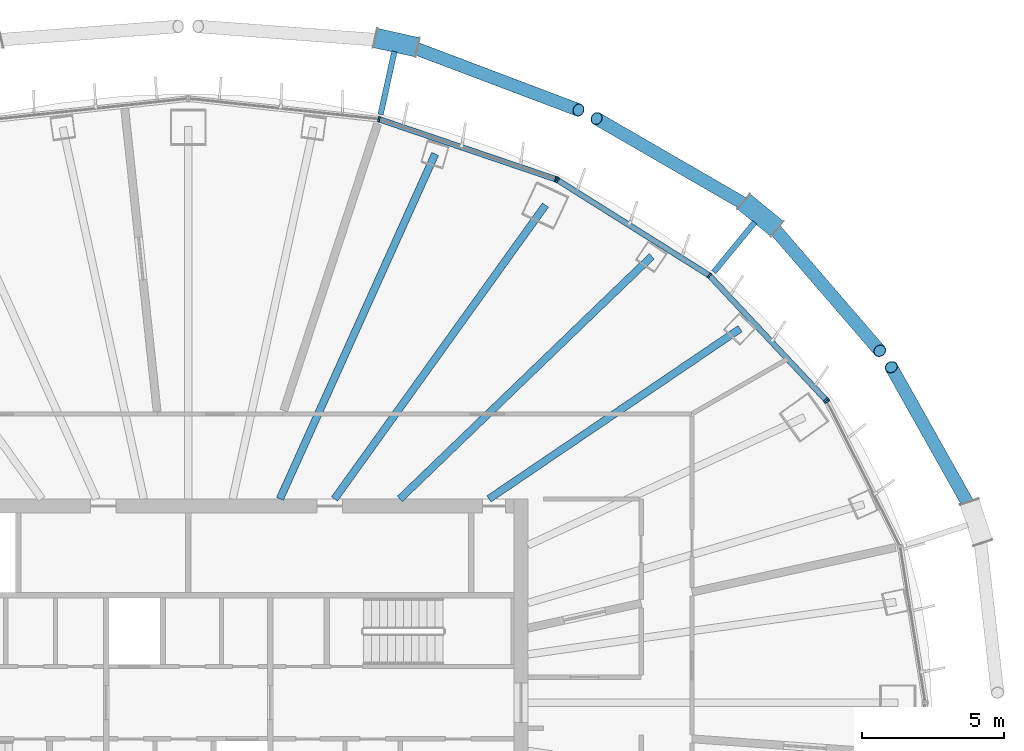
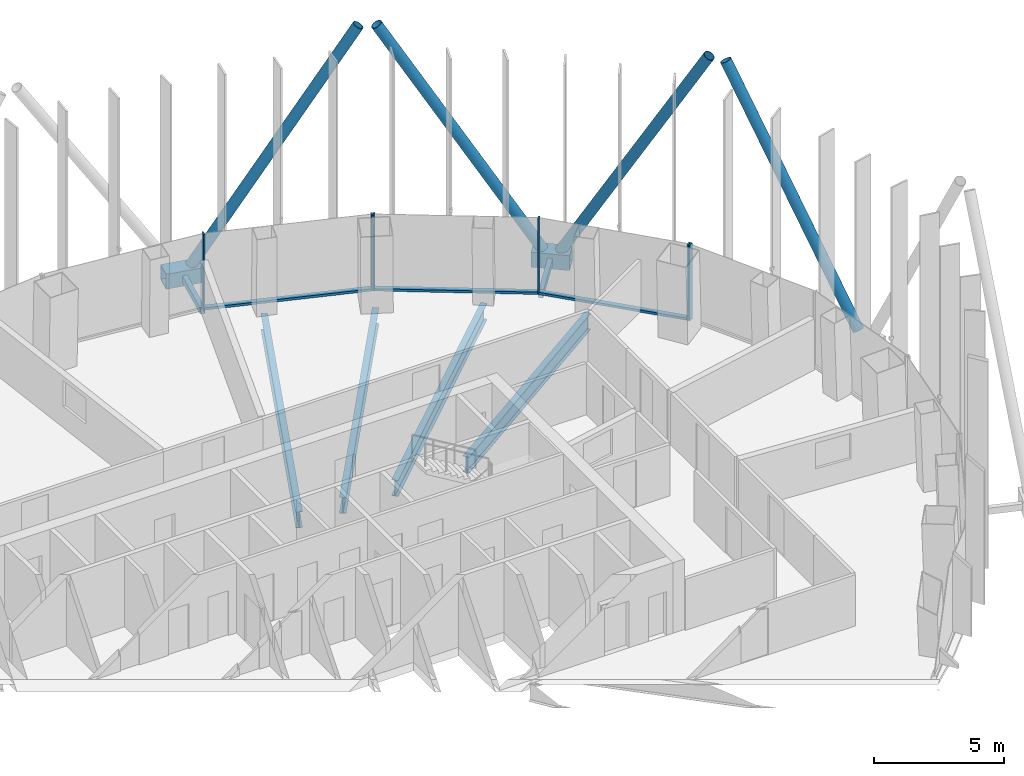
# One storey, part 6 of 19: 17 members, 4 beams, 3 elements without a shape of their own.
"""IFC4 building model written with IfcOpenShell, lengths in metres."""

from ifc_helpers import new_model, si_unit, direction, frame, origin, origin_2d, place, context, subcontext, project, spatial, rectangle, hollow_rectangle, hollow_circle, i_section, extrude, material, layer, layer_set, material_profile, profile_set, type_object, element, aggregate, save


model = new_model("IFC4")

# Units and contexts
model_context = context("Model", 3, precision=1e-05, world=origin(), true_north=direction((0.0, 1.0)))
body_context = subcontext(model_context, "Body", "Model", "MODEL_VIEW")
ifc_project = project(units=[si_unit("LENGTHUNIT", "METRE"), si_unit("AREAUNIT", "SQUARE_METRE"), si_unit("VOLUMEUNIT", "CUBIC_METRE"), si_unit("PLANEANGLEUNIT", "RADIAN"), si_unit("MASSUNIT", "GRAM", prefix="KILO")], contexts=[model_context])

# Site, building, storey
site_placement = place(None, origin())
site = spatial("IfcSite", under=ifc_project, at=site_placement, CompositionType="ELEMENT")
building_placement = place(site_placement, origin())
building = spatial("IfcBuilding", under=site, at=building_placement, Name="Siaravel Broadcast Tower", CompositionType="ELEMENT")
storey_placement = place(building_placement, frame((0.0, 0.0, 97.10009765625)))
storey = spatial("IfcBuildingStorey", under=building, at=storey_placement, Name="L22", CompositionType="ELEMENT", Elevation=97.10009765625)

# Beams
ifc_material_1 = material(Name="Steel S355", Category="steel")
ifc_material_profile_1 = material_profile(ifc_material_1, i_section(OverallWidth=0.26513671875, OverallDepth=0.75390625, WebThickness=0.0126953125, FlangeThickness=0.017578125, FilletRadius=0.0166015625, at=origin_2d()))
ifc_profile_set_1 = profile_set([ifc_material_profile_1], Name="Steel S355")
beam_type = type_object("IfcBeamType", Name="BM-UB 762x267x147", PredefinedType="BEAM", material=ifc_profile_set_1)
beam_1_placement = place(storey_placement, frame((19.497314453125, 13.21240234375, -0.527099609375), z_axis=(-0.827824507, -0.560987153, 0.0), x_axis=(0.560987153, -0.827824507, 0.0)))
element("IfcBeam", 1, at=beam_1_placement, inside=storey, type_object=beam_type, Name="Radial beam RB05", PredefinedType="BEAM", context=body_context, shape_type="SweptSolid", body=[
    extrude(i_section(OverallWidth=0.26513671875, OverallDepth=0.75390625, WebThickness=0.0126953125, FlangeThickness=0.017578125, FilletRadius=0.0166015625, at=origin_2d()), origin(), (0.0, 0.0, 1.0), 10.717529296875),
])
beam_2_placement = place(storey_placement, frame((16.3759765625, 15.76904296875, -0.527099609375), z_axis=(-0.720320579, -0.693641307, 0.0), x_axis=(0.693641307, -0.720320579, 0.0)))
element("IfcBeam", 2, at=beam_2_placement, inside=storey, type_object=beam_type, Name="Radial beam RB06", PredefinedType="BEAM", context=body_context, shape_type="SweptSolid", body=[
    extrude(i_section(OverallWidth=0.26513671875, OverallDepth=0.75390625, WebThickness=0.0126953125, FlangeThickness=0.017578125, FilletRadius=0.0166015625, at=origin_2d()), origin(), (0.0, 0.0, 1.0), 12.353759765625),
])
beam_3_placement = place(storey_placement, frame((12.62060546875, 17.578125, -0.527099609375), z_axis=(-0.583215836, -0.812317234, 0.0), x_axis=(0.812317234, -0.583215836, 0.0)))
element("IfcBeam", 3, at=beam_3_placement, inside=storey, type_object=beam_type, Name="Radial beam RB07", PredefinedType="BEAM", context=body_context, shape_type="SweptSolid", body=[
    extrude(i_section(OverallWidth=0.26513671875, OverallDepth=0.75390625, WebThickness=0.0126953125, FlangeThickness=0.017578125, FilletRadius=0.0166015625, at=origin_2d()), origin(), (0.0, 0.0, 1.0), 12.776123046875),
])
beam_4_placement = place(storey_placement, frame((8.72607421875, 19.3857421875, -0.527099609375), z_axis=(-0.410458111, -0.911879454, 0.0), x_axis=(0.911879454, -0.410458111, 0.0)))
element("IfcBeam", 4, at=beam_4_placement, inside=storey, type_object=beam_type, Name="Radial beam RB08", PredefinedType="BEAM", context=body_context, shape_type="SweptSolid", body=[
    extrude(i_section(OverallWidth=0.26513671875, OverallDepth=0.75390625, WebThickness=0.0126953125, FlangeThickness=0.017578125, FilletRadius=0.0166015625, at=origin_2d()), origin(), (0.0, 0.0, 1.0), 13.36328125),
])

# Curtain wall, member
ifc_material_2 = material(Name="Aluminium 6063-T6", Category="aluminium")
ifc_layer = layer(ifc_material_2, 0.199951171875)
ifc_layer_set = layer_set([ifc_layer], Name="Aluminium 6063-T6")
curtain_wall_type = type_object("IfcCurtainWallType", Name="Unitised curtain wall, zone 2", PredefinedType="NOTDEFINED", material=ifc_layer_set)
curtain_wall_1_placement = place(storey_placement, origin())
curtain_wall_1 = element("IfcCurtainWall", 5, at=curtain_wall_1_placement, inside=storey, type_object=curtain_wall_type, Name="L22 Unitised curtain wall, zone 2 01", PredefinedType="NOTDEFINED")
ifc_material_profile_2 = material_profile(ifc_material_2, rectangle(XDim=0.199951171875, YDim=0.06494140625, at=origin_2d()))
ifc_profile_set_2 = profile_set([ifc_material_profile_2], Name="Aluminium 6063-T6")
member_type_1 = type_object("IfcMemberType", Name="CW-Z2 mullion", PredefinedType="MULLION", material=ifc_profile_set_2)
member_1_placement = place(storey_placement, frame((22.56298828125, 10.64404296875, 0.0), z_axis=(0.0, 0.0, 1.0), x_axis=(-0.892391822, -0.451261384, 0.0)))
member_1 = element("IfcMember", 6, at=member_1_placement, type_object=member_type_1, Name="CW-Z2 mullion 3", PredefinedType="MULLION", context=body_context, shape_type="SweptSolid", body=[
    extrude(rectangle(XDim=0.199951171875, YDim=0.06494140625, at=origin_2d()), origin(), (0.0, 0.0, 1.0), 3.5498046875),
])
aggregate(curtain_wall_1, [member_1])

# Curtain wall, members
curtain_wall_2_placement = place(storey_placement, origin())
curtain_wall_2 = element("IfcCurtainWall", 7, at=curtain_wall_2_placement, inside=storey, type_object=curtain_wall_type, Name="L22 Unitised curtain wall, zone 2 02", PredefinedType="NOTDEFINED")
member_2_placement = place(storey_placement, frame((22.526123046875, 10.69677734375, 0.0), z_axis=(0.0, 0.0, 1.0), x_axis=(-0.729804854, -0.683655524, 0.0)))
member_2 = element("IfcMember", 8, at=member_2_placement, type_object=member_type_1, Name="CW-Z2 mullion 1", PredefinedType="MULLION", context=body_context, shape_type="SweptSolid", body=[
    extrude(rectangle(XDim=0.199951171875, YDim=0.06494140625, at=origin_2d()), origin(), (0.0, 0.0, 1.0), 3.5498046875),
])
member_3_placement = place(storey_placement, frame((18.408935546875, 15.091796875, 0.0), z_axis=(0.0, 0.0, 1.0), x_axis=(-0.636218267, -0.771509117, 0.0)))
member_3 = element("IfcMember", 9, at=member_3_placement, type_object=member_type_1, Name="CW-Z2 mullion 2", PredefinedType="MULLION", context=body_context, shape_type="SweptSolid", body=[
    extrude(rectangle(XDim=0.199951171875, YDim=0.06494140625, at=origin_2d()), origin(), (0.0, 0.0, 1.0), 3.5498046875),
])
member_4_placement = place(storey_placement, frame((13.043701171875, 18.464111328125, 0.0), z_axis=(0.0, 0.0, 1.0), x_axis=(-0.5321489, -0.846650783, 0.0)))
member_4 = element("IfcMember", 10, at=member_4_placement, type_object=member_type_1, Name="CW-Z2 mullion 3", PredefinedType="MULLION", context=body_context, shape_type="SweptSolid", body=[
    extrude(rectangle(XDim=0.199951171875, YDim=0.06494140625, at=origin_2d()), origin(), (0.0, 0.0, 1.0), 3.5498046875),
])

curtain_wall_3_placement = place(storey_placement, origin())
curtain_wall_3 = element("IfcCurtainWall", 11, at=curtain_wall_3_placement, inside=storey, type_object=curtain_wall_type, Name="L22 Unitised curtain wall, zone 2 03", PredefinedType="NOTDEFINED")
member_5_placement = place(storey_placement, frame((12.9853515625, 18.491943359375, 0.0), z_axis=(0.0, 0.0, 1.0), x_axis=(-0.321300433, -0.946977313, 0.0)))
member_5 = element("IfcMember", 12, at=member_5_placement, type_object=member_type_1, Name="CW-Z2 mullion 1", PredefinedType="MULLION", context=body_context, shape_type="SweptSolid", body=[
    extrude(rectangle(XDim=0.199951171875, YDim=0.06494140625, at=origin_2d()), origin(), (0.0, 0.0, 1.0), 3.5498046875),
])
member_6_placement = place(storey_placement, frame((6.7373046875, 20.61181640625, 0.0), z_axis=(0.0, 0.0, 1.0), x_axis=(-0.215557941, -0.976491052, 0.0)))
member_6 = element("IfcMember", 13, at=member_6_placement, type_object=member_type_1, Name="CW-Z2 mullion 2", PredefinedType="MULLION", context=body_context, shape_type="SweptSolid", body=[
    extrude(rectangle(XDim=0.199951171875, YDim=0.06494140625, at=origin_2d()), origin(), (0.0, 0.0, 1.0), 3.5498046875),
])

# Member
ifc_material_profile_3 = material_profile(ifc_material_2, rectangle(XDim=0.199951171875, YDim=0.110107421875, at=origin_2d()))
ifc_profile_set_3 = profile_set([ifc_material_profile_3], Name="Aluminium 6063-T6")
member_type_2 = type_object("IfcMemberType", Name="CW-Z2 transom", PredefinedType="USERDEFINED", material=ifc_profile_set_3)
member_7_placement = place(storey_placement, frame((22.50390625, 10.720458984375, 0.054931640625), z_axis=(-0.6836357, 0.729823424, 0.0), x_axis=(-0.729823424, -0.6836357, 0.0)))
member_7 = element("IfcMember", 14, at=member_7_placement, type_object=member_type_2, Name="CW-Z2 transom 1", ObjectType="TRANSOM", PredefinedType="USERDEFINED", context=body_context, shape_type="SweptSolid", body=[
    extrude(rectangle(XDim=0.199951171875, YDim=0.110107421875, at=origin_2d()), origin(), (0.0, 0.0, 1.0), 5.95703125),
])

member_8_placement = place(storey_placement, frame((18.381591796875, 15.109130859375, 0.054931640625), z_axis=(-0.846655089, 0.532142049, 0.0), x_axis=(-0.532142049, -0.846655089, 0.0)))
member_8 = element("IfcMember", 15, at=member_8_placement, type_object=member_type_2, Name="CW-Z2 transom 2", ObjectType="TRANSOM", PredefinedType="USERDEFINED", context=body_context, shape_type="SweptSolid", body=[
    extrude(rectangle(XDim=0.199951171875, YDim=0.110107421875, at=origin_2d()), origin(), (0.0, 0.0, 1.0), 6.272216796875),
])

aggregate(curtain_wall_2, [member_2, member_3, member_4, member_7, member_8])

member_9_placement = place(storey_placement, frame((12.95458984375, 18.502197265625, 0.054931640625), z_axis=(-0.946973015, 0.321313101, 0.0), x_axis=(-0.321313101, -0.946973015, 0.0)))
member_9 = element("IfcMember", 16, at=member_9_placement, type_object=member_type_2, Name="CW-Z2 transom 1", ObjectType="TRANSOM", PredefinedType="USERDEFINED", context=body_context, shape_type="SweptSolid", body=[
    extrude(rectangle(XDim=0.199951171875, YDim=0.110107421875, at=origin_2d()), origin(), (0.0, 0.0, 1.0), 6.532958984375),
])

aggregate(curtain_wall_3, [member_5, member_6, member_9])

# Members
ifc_material_3 = material(Name="Steel S460", Category="steel")
ifc_material_profile_4 = material_profile(ifc_material_3, hollow_circle(Radius=0.228515625, WallThickness=0.02001953125, at=origin_2d()))
ifc_profile_set_4 = profile_set([ifc_material_profile_4], Name="Steel S460")
member_type_3 = type_object("IfcMemberType", Name="Diagrid diagonal CHS 457x20", PredefinedType="BRACE", material=ifc_profile_set_4)
member_10_placement = place(storey_placement, frame((27.7265625, 6.709228515625, 0.119873046875), z_axis=(-0.239866967, 0.426891503, 0.871910249), x_axis=(-0.871801896, -0.489858607, 0.0)))
element("IfcMember", 17, at=member_10_placement, inside=storey, type_object=member_type_3, Name="Diagrid diagonal R10 station 03A", PredefinedType="BRACE", context=body_context, shape_type="SweptSolid", body=[
    extrude(hollow_circle(Radius=0.228515625, WallThickness=0.02001953125, at=origin_2d()), origin(), (0.0, 0.0, 1.0), 12.053955078125),
])
member_11_placement = place(storey_placement, frame((20.487548828125, 16.998291015625, 0.119873046875), z_axis=(0.325331869, -0.377002225, 0.867195767), x_axis=(0.757082184, 0.653319651, 0.0)))
element("IfcMember", 18, at=member_11_placement, inside=storey, type_object=member_type_3, Name="Diagrid diagonal R10 station 09C", PredefinedType="BRACE", context=body_context, shape_type="SweptSolid", body=[
    extrude(hollow_circle(Radius=0.228515625, WallThickness=0.02001953125, at=origin_2d()), origin(), (0.0, 0.0, 1.0), 12.11962890625),
])
member_12_placement = place(storey_placement, frame((19.94384765625, 17.443359375, 0.119873046875), z_axis=(-0.44902417, 0.259742907, 0.854933282), x_axis=(-0.500720828, -0.865608833, 0.0)))
element("IfcMember", 19, at=member_12_placement, inside=storey, type_object=member_type_3, Name="Diagrid diagonal R10 station 09A", PredefinedType="BRACE", context=body_context, shape_type="SweptSolid", body=[
    extrude(hollow_circle(Radius=0.228515625, WallThickness=0.02001953125, at=origin_2d()), origin(), (0.0, 0.0, 1.0), 12.29345703125),
])
member_13_placement = place(storey_placement, frame((7.697021484375, 23.24072265625, 0.119873046875), z_axis=(0.492688247, -0.186337728, 0.850021495), x_axis=(0.353751181, 0.935339565, 0.0)))
element("IfcMember", 20, at=member_13_placement, inside=storey, type_object=member_type_3, Name="Diagrid diagonal R10 station 15C", PredefinedType="BRACE", context=body_context, shape_type="SweptSolid", body=[
    extrude(hollow_circle(Radius=0.228515625, WallThickness=0.02001953125, at=origin_2d()), origin(), (0.0, 0.0, 1.0), 12.364501953125),
])
ifc_material_profile_5 = material_profile(ifc_material_3, hollow_rectangle(XDim=0.699951171875, YDim=0.699951171875, WallThickness=0.0400390625, at=origin_2d()))
ifc_profile_set_5 = profile_set([ifc_material_profile_5], Name="Steel S460")
member_type_4 = type_object("IfcMemberType", Name="Diagrid node BOX 700x700x40", PredefinedType="USERDEFINED", material=ifc_profile_set_5)
member_14_placement = place(storey_placement, frame((20.798583984375, 16.743408203125, -0.2001953125), z_axis=(-0.773625141, 0.633643545, 0.0), x_axis=(-0.633643545, -0.773625141, 0.0)))
element("IfcMember", 21, at=member_14_placement, inside=storey, type_object=member_type_4, Name="Diagrid node R10 station 09", ObjectType="DIAGRID NODE", PredefinedType="USERDEFINED", context=body_context, shape_type="SweptSolid", body=[
    extrude(hollow_rectangle(XDim=0.699951171875, YDim=0.699951171875, WallThickness=0.0400390625, at=origin_2d()), origin(), (0.0, 0.0, 1.0), 1.5068359375),
])
member_15_placement = place(storey_placement, frame((8.089599609375, 23.154541015625, -0.2001953125), z_axis=(-0.976751791, 0.214373361, 0.0), x_axis=(-0.214373361, -0.976751791, 0.0)))
element("IfcMember", 22, at=member_15_placement, inside=storey, type_object=member_type_4, Name="Diagrid node R10 station 15", ObjectType="DIAGRID NODE", PredefinedType="USERDEFINED", context=body_context, shape_type="SweptSolid", body=[
    extrude(hollow_rectangle(XDim=0.699951171875, YDim=0.699951171875, WallThickness=0.0400390625, at=origin_2d()), origin(), (0.0, 0.0, 1.0), 1.506591796875),
])
ifc_material_profile_6 = material_profile(ifc_material_3, hollow_rectangle(XDim=0.199951171875, YDim=0.300048828125, WallThickness=0.012451171875, at=origin_2d()))
ifc_profile_set_6 = profile_set([ifc_material_profile_6], Name="Steel S460")
member_type_5 = type_object("IfcMemberType", Name="Diagrid node arm RHS 300x200x12.5", PredefinedType="STRUT", material=ifc_profile_set_6)
member_16_placement = place(storey_placement, frame((18.568115234375, 15.20947265625, -0.2001953125), z_axis=(0.633715831, 0.773565928, 0.0), x_axis=(-0.773565928, 0.633715831, 0.0)))
element("IfcMember", 23, at=member_16_placement, inside=storey, type_object=member_type_5, Name="Node arm R10 station 09", PredefinedType="STRUT", context=body_context, shape_type="SweptSolid", body=[
    extrude(hollow_rectangle(XDim=0.199951171875, YDim=0.300048828125, WallThickness=0.012451171875, at=origin_2d()), origin(), (0.0, 0.0, 1.0), 2.280029296875),
])
member_17_placement = place(storey_placement, frame((6.79638671875, 20.776611328125, -0.2001953125), z_axis=(0.214389852, 0.976748172, 0.0), x_axis=(-0.976748172, 0.214389852, 0.0)))
element("IfcMember", 24, at=member_17_placement, inside=storey, type_object=member_type_5, Name="Node arm R10 station 15", PredefinedType="STRUT", context=body_context, shape_type="SweptSolid", body=[
    extrude(hollow_rectangle(XDim=0.199951171875, YDim=0.300048828125, WallThickness=0.012451171875, at=origin_2d()), origin(), (0.0, 0.0, 1.0), 2.27978515625),
])

save(model, "model.ifc")
